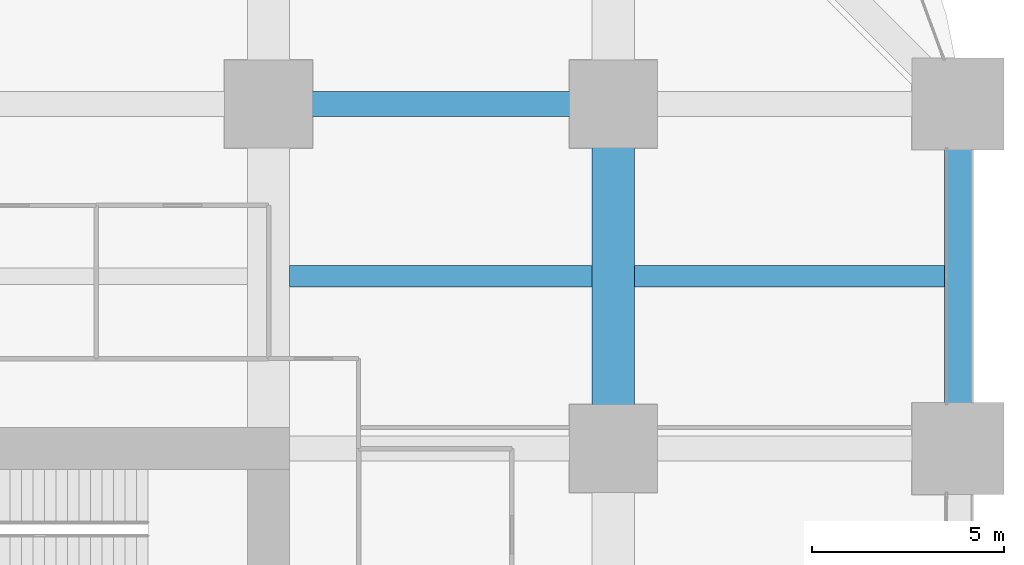
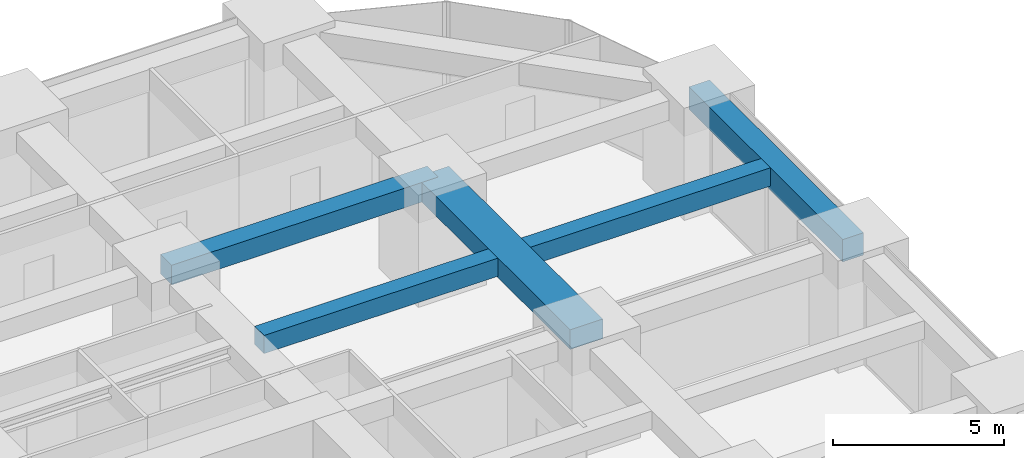
# One storey, part 33 of 45: 5 beams.
"""IFC4 building model written with IfcOpenShell, lengths in metres."""

import ifcopenshell
import ifcopenshell.guid

model = None  # the IFC model being written
_history = None  # IfcOwnerHistory: only IFC2X3 demands one
_inside = {}  # id of a spatial element -> (the spatial element, [elements in it])
_under = {}  # id of a project, library or spatial element -> (it, [spatial elements below it])
_declared = {}  # id of a project -> (the project, [libraries it declares])
_typed = {}  # id of a type object -> (the type object, [elements of that type])
_made_of = {}  # id of a material, layer set ... -> (it, [elements and type objects made of it])


def new_model(schema):
    """Start an empty IFC model of exactly this schema.

    Asked for "IFC4X3", IfcOpenShell would pick the latest addendum, in which some entities
    have other attributes; the version numbers below select the first issue.
    IFC2X3 requires an IfcOwnerHistory on every rooted entity: one is made here for all.
    """
    global model, _history
    if schema == "IFC4X3":
        model = ifcopenshell.file(schema_version=(4, 3, 0, 0))
    else:
        model = ifcopenshell.file(schema=schema)
    _inside.clear()
    _under.clear()
    _declared.clear()
    _typed.clear()
    _made_of.clear()
    _history = None
    if model.schema == "IFC2X3":
        org = make("IfcOrganization", Name="unknown")
        user = make(
            "IfcPersonAndOrganization",
            ThePerson=make("IfcPerson", FamilyName="unknown"),
            TheOrganization=org,
        )
        app = make(
            "IfcApplication",
            ApplicationDeveloper=org,
            Version="unknown",
            ApplicationFullName="unknown",
            ApplicationIdentifier="unknown",
        )
        _history = make(
            "IfcOwnerHistory",
            OwningUser=user,
            OwningApplication=app,
            ChangeAction="ADDED",
            CreationDate=0,
        )
    return model


def make(cls, **values):
    """One entity of the class cls with the attributes given. An attribute that is None is left unset."""
    return model.create_entity(
        cls, **{name: value for name, value in values.items() if value is not None}
    )


def rooted(cls, **values):
    """An entity with a GlobalId (a new one), such as an element, a storey or a relation."""
    return make(cls, GlobalId=ifcopenshell.guid.new(), OwnerHistory=_history, **values)


def si_unit(unit_type, name, prefix=None):
    """IfcSIUnit, for example si_unit("LENGTHUNIT", "METRE", prefix="MILLI")."""
    return make("IfcSIUnit", UnitType=unit_type, Prefix=prefix, Name=name)


def assignment(units):
    """IfcUnitAssignment: the units of a project."""
    return None if units is None else make("IfcUnitAssignment", Units=units)


def point(xyz):
    """IfcCartesianPoint."""
    return None if xyz is None else make("IfcCartesianPoint", Coordinates=xyz)


def direction(xyz):
    """IfcDirection."""
    return None if xyz is None else make("IfcDirection", DirectionRatios=xyz)


def frame(location, z_axis=None, x_axis=None):
    """IfcAxis2Placement3D, a coordinate frame: its origin and axes. An axis left out is left unset."""
    return make(
        "IfcAxis2Placement3D",
        Location=point(location),
        Axis=direction(z_axis),
        RefDirection=direction(x_axis),
    )


def frame_2d(location, x_axis=None):
    """IfcAxis2Placement2D, a coordinate frame in the plane: its origin and x axis."""
    return make(
        "IfcAxis2Placement2D", Location=point(location), RefDirection=direction(x_axis)
    )


def origin():
    """The frame at (0, 0, 0) with its axes left unset."""
    return frame((0.0, 0.0, 0.0))


def origin_2d():
    """The frame at (0, 0) in the plane with its x axis left unset."""
    return frame_2d((0.0, 0.0))


def place(relative_to, where):
    """IfcLocalPlacement: puts the frame where relative to a parent placement (None: the world)."""
    return make(
        "IfcLocalPlacement", PlacementRelTo=relative_to, RelativePlacement=where
    )


def context(
    kind, dimensions, precision=None, world=None, true_north=None, identifier=None
):
    """IfcGeometricRepresentationContext, for example the 3D "Model" context."""
    return make(
        "IfcGeometricRepresentationContext",
        ContextIdentifier=identifier,
        ContextType=kind,
        CoordinateSpaceDimension=dimensions,
        Precision=precision,
        WorldCoordinateSystem=world,
        TrueNorth=true_north,
    )


def subcontext(parent, identifier, kind, view, scale=None):
    """IfcGeometricRepresentationSubContext, for example "Body" below "Model"."""
    return make(
        "IfcGeometricRepresentationSubContext",
        ContextIdentifier=identifier,
        ContextType=kind,
        ParentContext=parent,
        TargetScale=scale,
        TargetView=view,
    )


def project(units=None, contexts=None):
    """IfcProject with its units and contexts."""
    return rooted(
        "IfcProject",
        Name="project",
        RepresentationContexts=contexts,
        UnitsInContext=assignment(units),
    )


def spatial(cls, under=None, at=None, **own):
    """A site, building, storey or space (cls), placed at a placement, below another one or the project."""
    s = rooted(cls, ObjectPlacement=at, **own)
    if under is not None:
        _under.setdefault(under.id(), (under, []))[1].append(s)
    return s


def profile(cls, at=None, kind="AREA", **sizes):
    """A parametric profile (cls). Its sizes go by their IFC names, for example OverallWidth=200.0."""
    return make(cls, ProfileType=kind, Position=at, **sizes)


def rectangle(**sizes):
    """IfcRectangleProfileDef."""
    return profile("IfcRectangleProfileDef", **sizes)


def extrude(swept, where, along, depth):
    """IfcExtrudedAreaSolid: the profile swept, set in the frame where, extruded along a direction by depth."""
    return make(
        "IfcExtrudedAreaSolid",
        SweptArea=swept,
        Position=where,
        ExtrudedDirection=direction(along),
        Depth=depth,
    )


def shape(context_of_items, identifier, shape_type, items):
    """IfcShapeRepresentation: the items that make up one representation, for example the "Body"."""
    return make(
        "IfcShapeRepresentation",
        ContextOfItems=context_of_items,
        RepresentationIdentifier=identifier,
        RepresentationType=shape_type,
        Items=items,
    )


def material(Name=None, Category=None):
    """IfcMaterial."""
    return make("IfcMaterial", Name=Name, Category=Category)


def material_profile(
    of_material, cross_section, Name=None, Category=None, Priority=None
):
    """IfcMaterialProfile: a cross section and its material."""
    return make(
        "IfcMaterialProfile",
        Name=Name,
        Material=of_material,
        Profile=cross_section,
        Priority=Priority,
        Category=Category,
    )


def profile_set(profiles, Name=None, composite=None):
    """IfcMaterialProfileSet."""
    return make(
        "IfcMaterialProfileSet",
        Name=Name,
        MaterialProfiles=profiles,
        CompositeProfile=composite,
    )


def made_of(thing, what):
    """Note that an element or type object is made of a material, layer set ...; save() writes the relation."""
    if what is not None:
        _made_of.setdefault(what.id(), (what, []))[1].append(thing)
    return thing


def type_object(cls, material=None, **own):
    """A type object (cls), such as IfcWallType, which elements share."""
    return made_of(rooted(cls, **own), material)


def element(
    cls,
    number,
    at=None,
    inside=None,
    cuts=None,
    type_object=None,
    material=None,
    context=None,
    identifier="Body",
    shape_type=None,
    held_by="IfcProductDefinitionShape",
    body=None,
    shapes=None,
    **own,
):
    """One element of the class cls, such as IfcWall. Its Tag is "e" and its number.

    at: its placement. inside: the storey or other place that contains it. cuts: it is an
    opening in that element (IfcRelVoidsElement). A single representation is given by context,
    identifier, shape_type and body (its items); several are given by shapes. held_by: the class
    of the entity that holds the representations. save() writes the other relations.
    """
    e = rooted(cls, Tag="e%d" % number, ObjectPlacement=at, **own)
    if body is not None:
        shapes = [shape(context, identifier, shape_type, body)]
    if shapes is not None:
        e.Representation = make(held_by, Representations=shapes)
    if inside is not None:
        _inside.setdefault(inside.id(), (inside, []))[1].append(e)
    if cuts is not None:
        rooted(
            "IfcRelVoidsElement", RelatingBuildingElement=cuts, RelatedOpeningElement=e
        )
    if type_object is not None:
        _typed.setdefault(type_object.id(), (type_object, []))[1].append(e)
    return made_of(e, material)


def aggregate(whole, parts):
    """IfcRelAggregates: a whole, such as a stair, and the parts it consists of."""
    return rooted("IfcRelAggregates", RelatingObject=whole, RelatedObjects=parts)


def save(model, path):
    """Write the relations noted so far, then the file.

    IfcRelAggregates (storeys below a building ...), IfcRelContainedInSpatialStructure (elements
    in a storey), IfcRelDefinesByType, IfcRelAssociatesMaterial and IfcRelDeclares: one each for
    every whole, place, type object, material and project.
    """
    for whole, parts in _under.values():
        aggregate(whole, parts)
    for where, things in _inside.values():
        rooted(
            "IfcRelContainedInSpatialStructure",
            RelatedElements=things,
            RelatingStructure=where,
        )
    for kind, things in _typed.values():
        rooted("IfcRelDefinesByType", RelatedObjects=things, RelatingType=kind)
    for what, things in _made_of.values():
        rooted("IfcRelAssociatesMaterial", RelatedObjects=things, RelatingMaterial=what)
    for by, libraries in _declared.values():
        rooted("IfcRelDeclares", RelatingContext=by, RelatedDefinitions=libraries)
    model.write(path)


model = new_model("IFC4")

# Units and contexts
model_context = context("Model", 3, precision=1e-05, world=origin(), true_north=direction((0.0, 1.0)))
body_context = subcontext(model_context, "Body", "Model", "MODEL_VIEW")
ifc_project = project(units=[si_unit("LENGTHUNIT", "METRE"), si_unit("AREAUNIT", "SQUARE_METRE"), si_unit("VOLUMEUNIT", "CUBIC_METRE"), si_unit("PLANEANGLEUNIT", "RADIAN"), si_unit("MASSUNIT", "GRAM", prefix="KILO")], contexts=[model_context])

# Site, building, storey
site_placement = place(None, origin())
site = spatial("IfcSite", under=ifc_project, at=site_placement, CompositionType="ELEMENT")
building_placement = place(site_placement, origin())
building = spatial("IfcBuilding", under=site, at=building_placement, Name="Zorevar Civic Tower", CompositionType="ELEMENT")
storey_placement = place(building_placement, frame((0.0, 0.0, 47.800048828125)))
storey = spatial("IfcBuildingStorey", under=building, at=storey_placement, Name="L11", CompositionType="ELEMENT", Elevation=47.800048828125)

# Beams
ifc_material_1 = material(Name="Concrete C50/60", Category="concrete")
ifc_material_profile_1 = material_profile(ifc_material_1, rectangle(XDim=1.10009765625, YDim=0.699951171875, at=origin_2d()), Name="RC 1100x700")
ifc_profile_set_1 = profile_set([ifc_material_profile_1], Name="Concrete C50/60")
beam_type_1 = type_object("IfcBeamType", Name="Beam RC 1100x700", PredefinedType="BEAM", material=ifc_profile_set_1)
beam_1_placement = place(storey_placement, frame((54.0, 36.0, 3.39990234375), z_axis=(0.0, 1.0, 0.0), x_axis=(-1.0, 0.0, 0.0)))
element("IfcBeam", 1, at=beam_1_placement, inside=storey, type_object=beam_type_1, Name="Girder L12", PredefinedType="BEAM", context=body_context, shape_type="SweptSolid", body=[
    extrude(rectangle(XDim=1.10009765625, YDim=0.699951171875, at=origin_2d()), origin(), (0.0, 0.0, 1.0), 9.0),
])
ifc_material_2 = material(Name="Concrete C50/60", Category="concrete")
ifc_material_profile_2 = material_profile(ifc_material_2, rectangle(XDim=0.550048828125, YDim=0.64990234375, at=origin_2d()), Name="RC 550x650")
ifc_profile_set_2 = profile_set([ifc_material_profile_2], Name="Concrete C50/60")
beam_type_2 = type_object("IfcBeamType", Name="Beam RC 550x650", PredefinedType="BEAM", material=ifc_profile_set_2)
beam_2_placement = place(storey_placement, frame((45.550048828125, 40.5, 3.425048828125), z_axis=(1.0, 0.0, 0.0), x_axis=(0.0, 1.0, 0.0)))
element("IfcBeam", 2, at=beam_2_placement, inside=storey, type_object=beam_type_2, Name="Secondary beam L12", PredefinedType="BEAM", context=body_context, shape_type="SweptSolid", body=[
    extrude(rectangle(XDim=0.550048828125, YDim=0.64990234375, at=origin_2d()), origin(), (0.0, 0.0, 1.0), 7.89990234375),
])
beam_3_placement = place(storey_placement, frame((54.550048828125, 40.5, 3.425048828125), z_axis=(1.0, 0.0, 0.0), x_axis=(0.0, 1.0, 0.0)))
element("IfcBeam", 3, at=beam_3_placement, inside=storey, type_object=beam_type_2, Name="Secondary beam L12", PredefinedType="BEAM", context=body_context, shape_type="SweptSolid", body=[
    extrude(rectangle(XDim=0.550048828125, YDim=0.64990234375, at=origin_2d()), origin(), (0.0, 0.0, 1.0), 8.099853515625),
])
ifc_material_3 = material(Name="Concrete C50/60", Category="concrete")
ifc_material_profile_3 = material_profile(ifc_material_3, rectangle(XDim=0.64990234375, YDim=0.699951171875, at=origin_2d()), Name="RC 650x700")
ifc_profile_set_3 = profile_set([ifc_material_profile_3], Name="Concrete C50/60")
beam_type_3 = type_object("IfcBeamType", Name="Beam RC 650x700", PredefinedType="BEAM", material=ifc_profile_set_3)
beam_4_placement = place(storey_placement, frame((45.0, 45.0, 3.39990234375), z_axis=(1.0, 0.0, 0.0), x_axis=(0.0, 1.0, 0.0)))
element("IfcBeam", 4, at=beam_4_placement, inside=storey, type_object=beam_type_3, Name="Girder L12", PredefinedType="BEAM", context=body_context, shape_type="SweptSolid", body=[
    extrude(rectangle(XDim=0.64990234375, YDim=0.699951171875, at=origin_2d()), origin(), (0.0, 0.0, 1.0), 9.0),
])
ifc_material_4 = material(Name="Concrete C50/60", Category="concrete")
ifc_material_profile_4 = material_profile(ifc_material_4, rectangle(XDim=0.699951171875, YDim=0.800048828125, at=origin_2d()), Name="RC 700x800")
ifc_profile_set_4 = profile_set([ifc_material_profile_4], Name="Concrete C50/60")
beam_type_4 = type_object("IfcBeamType", Name="Edge beam RC 700x800", PredefinedType="SPANDREL", material=ifc_profile_set_4)
beam_5_placement = place(storey_placement, frame((63.0, 36.0, 3.349853515625), z_axis=(0.0, 1.0, 0.0), x_axis=(-1.0, 0.0, 0.0)))
element("IfcBeam", 5, at=beam_5_placement, inside=storey, type_object=beam_type_4, Name="Edge beam L12", PredefinedType="SPANDREL", context=body_context, shape_type="SweptSolid", body=[
    extrude(rectangle(XDim=0.699951171875, YDim=0.800048828125, at=origin_2d()), origin(), (0.0, 0.0, 1.0), 9.0),
])

save(model, "model.ifc")
